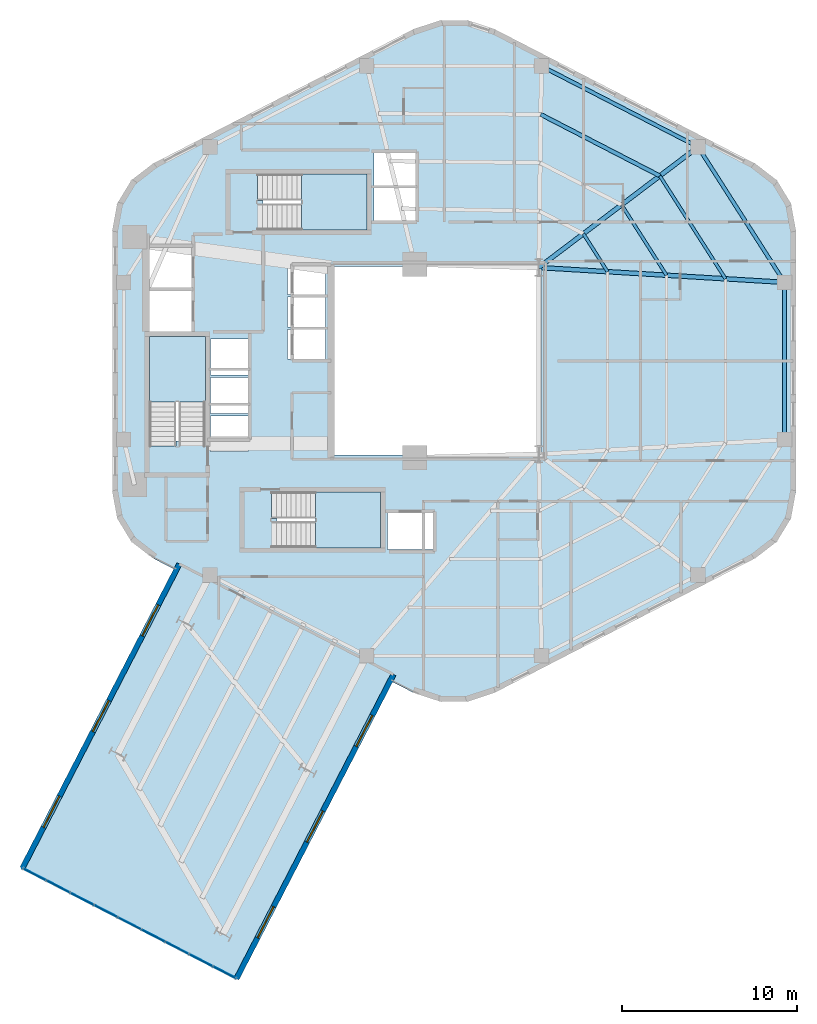
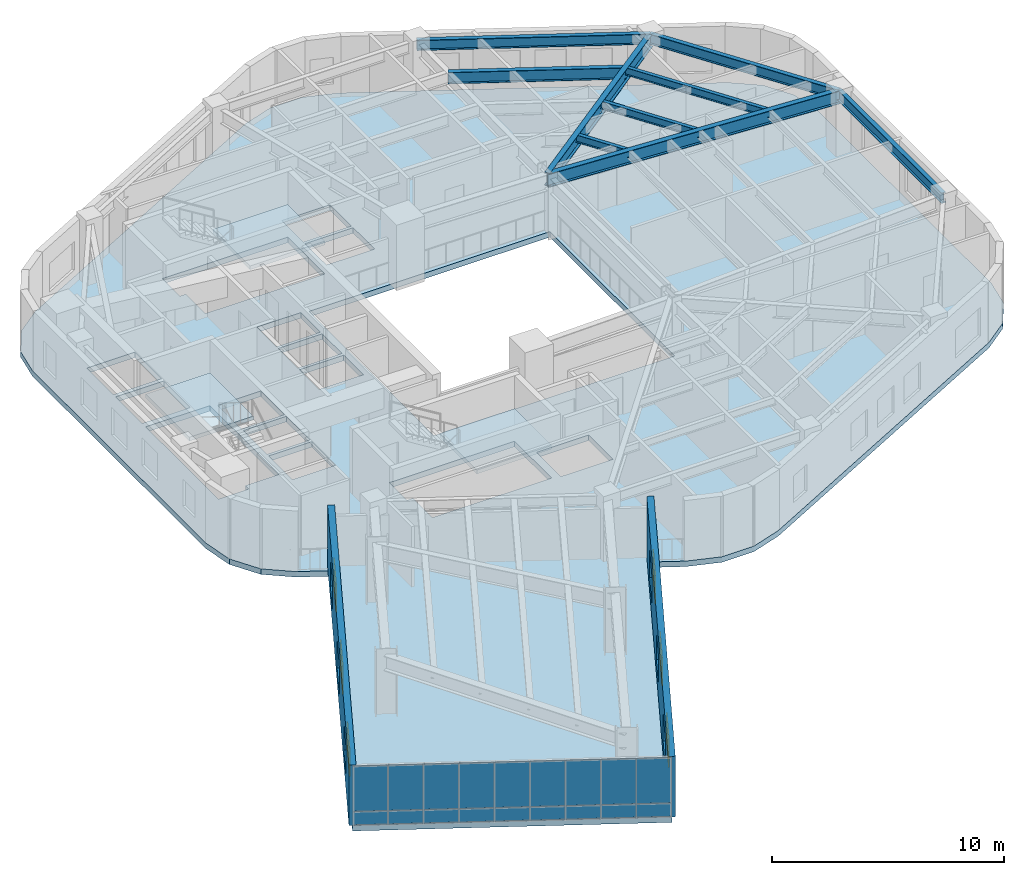
# One storey, part 4 of 10: 18 plates, 9 beams, 6 windows, 4 slabs, 2 walls, 6 openings, 4 elements without a shape of their own.
"""IFC4 building model written with IfcOpenShell, lengths in metres."""

import ifcopenshell
import ifcopenshell.guid

model = None  # the IFC model being written
_history = None  # IfcOwnerHistory: only IFC2X3 demands one
_inside = {}  # id of a spatial element -> (the spatial element, [elements in it])
_under = {}  # id of a project, library or spatial element -> (it, [spatial elements below it])
_declared = {}  # id of a project -> (the project, [libraries it declares])
_typed = {}  # id of a type object -> (the type object, [elements of that type])
_made_of = {}  # id of a material, layer set ... -> (it, [elements and type objects made of it])


def new_model(schema):
    """Start an empty IFC model of exactly this schema.

    Asked for "IFC4X3", IfcOpenShell would pick the latest addendum, in which some entities
    have other attributes; the version numbers below select the first issue.
    IFC2X3 requires an IfcOwnerHistory on every rooted entity: one is made here for all.
    """
    global model, _history
    if schema == "IFC4X3":
        model = ifcopenshell.file(schema_version=(4, 3, 0, 0))
    else:
        model = ifcopenshell.file(schema=schema)
    _inside.clear()
    _under.clear()
    _declared.clear()
    _typed.clear()
    _made_of.clear()
    _history = None
    if model.schema == "IFC2X3":
        org = make("IfcOrganization", Name="unknown")
        user = make(
            "IfcPersonAndOrganization",
            ThePerson=make("IfcPerson", FamilyName="unknown"),
            TheOrganization=org,
        )
        app = make(
            "IfcApplication",
            ApplicationDeveloper=org,
            Version="unknown",
            ApplicationFullName="unknown",
            ApplicationIdentifier="unknown",
        )
        _history = make(
            "IfcOwnerHistory",
            OwningUser=user,
            OwningApplication=app,
            ChangeAction="ADDED",
            CreationDate=0,
        )
    return model


def make(cls, **values):
    """One entity of the class cls with the attributes given. An attribute that is None is left unset."""
    return model.create_entity(
        cls, **{name: value for name, value in values.items() if value is not None}
    )


def rooted(cls, **values):
    """An entity with a GlobalId (a new one), such as an element, a storey or a relation."""
    return make(cls, GlobalId=ifcopenshell.guid.new(), OwnerHistory=_history, **values)


def si_unit(unit_type, name, prefix=None):
    """IfcSIUnit, for example si_unit("LENGTHUNIT", "METRE", prefix="MILLI")."""
    return make("IfcSIUnit", UnitType=unit_type, Prefix=prefix, Name=name)


def assignment(units):
    """IfcUnitAssignment: the units of a project."""
    return None if units is None else make("IfcUnitAssignment", Units=units)


def point(xyz):
    """IfcCartesianPoint."""
    return None if xyz is None else make("IfcCartesianPoint", Coordinates=xyz)


def direction(xyz):
    """IfcDirection."""
    return None if xyz is None else make("IfcDirection", DirectionRatios=xyz)


def frame(location, z_axis=None, x_axis=None):
    """IfcAxis2Placement3D, a coordinate frame: its origin and axes. An axis left out is left unset."""
    return make(
        "IfcAxis2Placement3D",
        Location=point(location),
        Axis=direction(z_axis),
        RefDirection=direction(x_axis),
    )


def frame_2d(location, x_axis=None):
    """IfcAxis2Placement2D, a coordinate frame in the plane: its origin and x axis."""
    return make(
        "IfcAxis2Placement2D", Location=point(location), RefDirection=direction(x_axis)
    )


def origin():
    """The frame at (0, 0, 0) with its axes left unset."""
    return frame((0.0, 0.0, 0.0))


def origin_2d():
    """The frame at (0, 0) in the plane with its x axis left unset."""
    return frame_2d((0.0, 0.0))


def place(relative_to, where):
    """IfcLocalPlacement: puts the frame where relative to a parent placement (None: the world)."""
    return make(
        "IfcLocalPlacement", PlacementRelTo=relative_to, RelativePlacement=where
    )


def context(
    kind, dimensions, precision=None, world=None, true_north=None, identifier=None
):
    """IfcGeometricRepresentationContext, for example the 3D "Model" context."""
    return make(
        "IfcGeometricRepresentationContext",
        ContextIdentifier=identifier,
        ContextType=kind,
        CoordinateSpaceDimension=dimensions,
        Precision=precision,
        WorldCoordinateSystem=world,
        TrueNorth=true_north,
    )


def subcontext(parent, identifier, kind, view, scale=None):
    """IfcGeometricRepresentationSubContext, for example "Body" below "Model"."""
    return make(
        "IfcGeometricRepresentationSubContext",
        ContextIdentifier=identifier,
        ContextType=kind,
        ParentContext=parent,
        TargetScale=scale,
        TargetView=view,
    )


def project(units=None, contexts=None):
    """IfcProject with its units and contexts."""
    return rooted(
        "IfcProject",
        Name="project",
        RepresentationContexts=contexts,
        UnitsInContext=assignment(units),
    )


def spatial(cls, under=None, at=None, **own):
    """A site, building, storey or space (cls), placed at a placement, below another one or the project."""
    s = rooted(cls, ObjectPlacement=at, **own)
    if under is not None:
        _under.setdefault(under.id(), (under, []))[1].append(s)
    return s


def polyline(points):
    """IfcPolyline through the points."""
    return make("IfcPolyline", Points=[point(p) for p in points])


def profile(cls, at=None, kind="AREA", **sizes):
    """A parametric profile (cls). Its sizes go by their IFC names, for example OverallWidth=200.0."""
    return make(cls, ProfileType=kind, Position=at, **sizes)


def rectangle(**sizes):
    """IfcRectangleProfileDef."""
    return profile("IfcRectangleProfileDef", **sizes)


def i_section(**sizes):
    """IfcIShapeProfileDef."""
    return profile("IfcIShapeProfileDef", **sizes)


def outline(outer, holes=None, kind="AREA"):
    """IfcArbitraryClosedProfileDef: a profile drawn as a closed curve; with holes, ...WithVoids."""
    if holes is None:
        return make("IfcArbitraryClosedProfileDef", ProfileType=kind, OuterCurve=outer)
    return make(
        "IfcArbitraryProfileDefWithVoids",
        ProfileType=kind,
        OuterCurve=outer,
        InnerCurves=holes,
    )


def extrude(swept, where, along, depth):
    """IfcExtrudedAreaSolid: the profile swept, set in the frame where, extruded along a direction by depth."""
    return make(
        "IfcExtrudedAreaSolid",
        SweptArea=swept,
        Position=where,
        ExtrudedDirection=direction(along),
        Depth=depth,
    )


def shape(context_of_items, identifier, shape_type, items):
    """IfcShapeRepresentation: the items that make up one representation, for example the "Body"."""
    return make(
        "IfcShapeRepresentation",
        ContextOfItems=context_of_items,
        RepresentationIdentifier=identifier,
        RepresentationType=shape_type,
        Items=items,
    )


def material(Name=None, Category=None):
    """IfcMaterial."""
    return make("IfcMaterial", Name=Name, Category=Category)


def layer(
    of_material, thickness, ventilated=None, Name=None, Category=None, Priority=None
):
    """IfcMaterialLayer: one layer of a wall or slab, of a material (None: an air gap)."""
    return make(
        "IfcMaterialLayer",
        Material=of_material,
        LayerThickness=thickness,
        IsVentilated=ventilated,
        Name=Name,
        Category=Category,
        Priority=Priority,
    )


def layer_set(layers, Name=None):
    """IfcMaterialLayerSet."""
    return make("IfcMaterialLayerSet", MaterialLayers=layers, LayerSetName=Name)


def material_profile(
    of_material, cross_section, Name=None, Category=None, Priority=None
):
    """IfcMaterialProfile: a cross section and its material."""
    return make(
        "IfcMaterialProfile",
        Name=Name,
        Material=of_material,
        Profile=cross_section,
        Priority=Priority,
        Category=Category,
    )


def profile_set(profiles, Name=None, composite=None):
    """IfcMaterialProfileSet."""
    return make(
        "IfcMaterialProfileSet",
        Name=Name,
        MaterialProfiles=profiles,
        CompositeProfile=composite,
    )


def made_of(thing, what):
    """Note that an element or type object is made of a material, layer set ...; save() writes the relation."""
    if what is not None:
        _made_of.setdefault(what.id(), (what, []))[1].append(thing)
    return thing


def type_object(cls, material=None, **own):
    """A type object (cls), such as IfcWallType, which elements share."""
    return made_of(rooted(cls, **own), material)


def element(
    cls,
    number,
    at=None,
    inside=None,
    cuts=None,
    type_object=None,
    material=None,
    context=None,
    identifier="Body",
    shape_type=None,
    held_by="IfcProductDefinitionShape",
    body=None,
    shapes=None,
    **own,
):
    """One element of the class cls, such as IfcWall. Its Tag is "e" and its number.

    at: its placement. inside: the storey or other place that contains it. cuts: it is an
    opening in that element (IfcRelVoidsElement). A single representation is given by context,
    identifier, shape_type and body (its items); several are given by shapes. held_by: the class
    of the entity that holds the representations. save() writes the other relations.
    """
    e = rooted(cls, Tag="e%d" % number, ObjectPlacement=at, **own)
    if body is not None:
        shapes = [shape(context, identifier, shape_type, body)]
    if shapes is not None:
        e.Representation = make(held_by, Representations=shapes)
    if inside is not None:
        _inside.setdefault(inside.id(), (inside, []))[1].append(e)
    if cuts is not None:
        rooted(
            "IfcRelVoidsElement", RelatingBuildingElement=cuts, RelatedOpeningElement=e
        )
    if type_object is not None:
        _typed.setdefault(type_object.id(), (type_object, []))[1].append(e)
    return made_of(e, material)


def fill(opening, filler):
    """IfcRelFillsElement: the door or window that sits in an opening."""
    return rooted(
        "IfcRelFillsElement",
        RelatingOpeningElement=opening,
        RelatedBuildingElement=filler,
    )


def aggregate(whole, parts):
    """IfcRelAggregates: a whole, such as a stair, and the parts it consists of."""
    return rooted("IfcRelAggregates", RelatingObject=whole, RelatedObjects=parts)


def save(model, path):
    """Write the relations noted so far, then the file.

    IfcRelAggregates (storeys below a building ...), IfcRelContainedInSpatialStructure (elements
    in a storey), IfcRelDefinesByType, IfcRelAssociatesMaterial and IfcRelDeclares: one each for
    every whole, place, type object, material and project.
    """
    for whole, parts in _under.values():
        aggregate(whole, parts)
    for where, things in _inside.values():
        rooted(
            "IfcRelContainedInSpatialStructure",
            RelatedElements=things,
            RelatingStructure=where,
        )
    for kind, things in _typed.values():
        rooted("IfcRelDefinesByType", RelatedObjects=things, RelatingType=kind)
    for what, things in _made_of.values():
        rooted("IfcRelAssociatesMaterial", RelatedObjects=things, RelatingMaterial=what)
    for by, libraries in _declared.values():
        rooted("IfcRelDeclares", RelatingContext=by, RelatedDefinitions=libraries)
    model.write(path)


model = new_model("IFC4")

# Units and contexts
model_context = context("Model", 3, precision=1e-05, world=origin(), true_north=direction((0.0, 1.0)))
body_context = subcontext(model_context, "Body", "Model", "MODEL_VIEW")
ifc_project = project(units=[si_unit("LENGTHUNIT", "METRE"), si_unit("AREAUNIT", "SQUARE_METRE"), si_unit("VOLUMEUNIT", "CUBIC_METRE"), si_unit("PLANEANGLEUNIT", "RADIAN"), si_unit("MASSUNIT", "GRAM", prefix="KILO"), si_unit("THERMODYNAMICTEMPERATUREUNIT", "KELVIN"), si_unit("POWERUNIT", "WATT")], contexts=[model_context])

# Site, building, storey
site_placement = place(None, origin())
site = spatial("IfcSite", under=ifc_project, at=site_placement, CompositionType="ELEMENT")
building_placement = place(site_placement, origin())
building = spatial("IfcBuilding", under=site, at=building_placement, Name="Skarre Station Tower", CompositionType="ELEMENT")
storey_placement = place(building_placement, frame((0.0, 0.0, 180.89990234375)))
storey = spatial("IfcBuildingStorey", under=building, at=storey_placement, Name="L49", CompositionType="ELEMENT", Elevation=180.89990234375)

# Beams
ifc_material_1 = material(Name="Steel ASTM A992 Grade 50", Category="steel")
ifc_material_profile_1 = material_profile(ifc_material_1, i_section(OverallWidth=0.256103515625, OverallDepth=0.693115234375, WebThickness=0.013916015625, FlangeThickness=0.02392578125, at=origin_2d()), Name="Steel ASTM A992 Grade 50")
ifc_profile_set_1 = profile_set([ifc_material_profile_1], Name="Steel ASTM A992 Grade 50")
beam_type_1 = type_object("IfcBeamType", Name="Steel Beam W27X114", PredefinedType="BEAM", material=ifc_profile_set_1)
beam_1_placement = place(storey_placement, frame((39.449951171875, 29.35009765625, 2.843994140625), z_axis=(0.797308988117, 0.603571352425, 0.0), x_axis=(-0.603571352425, 0.797308988117, 0.0)))
element("IfcBeam", 1, at=beam_1_placement, inside=storey, type_object=beam_type_1, Name="L49 Radial Floor Girder F0C1", PredefinedType="BEAM", context=body_context, shape_type="SweptSolid", body=[
    extrude(i_section(OverallWidth=0.256103515625, OverallDepth=0.693115234375, WebThickness=0.013916015625, FlangeThickness=0.02392578125, at=origin_2d()), origin(), (0.0, 0.0, 1.0), 11.443603515625),
])
beam_2_placement = place(storey_placement, frame((39.449951171875, 29.35009765625, 2.843994140625), z_axis=(0.998184432941, -0.060231535207, 0.0), x_axis=(0.060231535207, 0.998184432941, 0.0)))
element("IfcBeam", 2, at=beam_2_placement, inside=storey, type_object=beam_type_1, Name="L49 Radial Floor Girder F5C2", PredefinedType="BEAM", context=body_context, shape_type="SweptSolid", body=[
    extrude(i_section(OverallWidth=0.256103515625, OverallDepth=0.693115234375, WebThickness=0.013916015625, FlangeThickness=0.02392578125, at=origin_2d()), origin(), (0.0, 0.0, 1.0), 14.09765625),
])
ifc_material_profile_2 = material_profile(ifc_material_1, i_section(OverallWidth=0.177978515625, OverallDepth=0.403076171875, WebThickness=0.008056640625, FlangeThickness=0.010986328125, at=origin_2d()), Name="Steel ASTM A992 Grade 50")
ifc_profile_set_2 = profile_set([ifc_material_profile_2], Name="Steel ASTM A992 Grade 50")
beam_type_2 = type_object("IfcBeamType", Name="Steel Joist W16X36", PredefinedType="JOIST", material=ifc_profile_set_2)
beam_3_placement = place(storey_placement, frame((43.389892578125, 29.112060546875, 2.988037109375), z_axis=(-0.537678636248, 0.843149858639, 0.0), x_axis=(-0.843149858639, -0.537678636248, 0.0)))
element("IfcBeam", 3, at=beam_3_placement, inside=storey, type_object=beam_type_2, Name="L49 Auxiliary Composite Joist 22", PredefinedType="JOIST", context=body_context, shape_type="SweptSolid", body=[
    extrude(i_section(OverallWidth=0.177978515625, OverallDepth=0.403076171875, WebThickness=0.008056640625, FlangeThickness=0.010986328125, at=origin_2d()), origin(), (0.0, 0.0, 1.0), 2.575927734375),
])
beam_4_placement = place(storey_placement, frame((46.76708984375, 28.908935546875, 2.988037109375), z_axis=(-0.53785259263, 0.843038901001, 0.0), x_axis=(-0.843038901001, -0.53785259263, 0.0)))
element("IfcBeam", 4, at=beam_4_placement, inside=storey, type_object=beam_type_2, Name="L49 Auxiliary Composite Joist 23", PredefinedType="JOIST", context=body_context, shape_type="SweptSolid", body=[
    extrude(i_section(OverallWidth=0.177978515625, OverallDepth=0.403076171875, WebThickness=0.008056640625, FlangeThickness=0.010986328125, at=origin_2d()), origin(), (0.0, 0.0, 1.0), 4.783935546875),
])
beam_5_placement = place(storey_placement, frame((50.14501953125, 28.705078125, 2.988037109375), z_axis=(-0.537916675884, 0.842998012931, 0.0), x_axis=(-0.842998012931, -0.537916675884, 0.0)))
element("IfcBeam", 5, at=beam_5_placement, inside=storey, type_object=beam_type_2, Name="L49 Auxiliary Composite Joist 24", PredefinedType="JOIST", context=body_context, shape_type="SweptSolid", body=[
    extrude(i_section(OverallWidth=0.177978515625, OverallDepth=0.403076171875, WebThickness=0.008056640625, FlangeThickness=0.010986328125, at=origin_2d()), origin(), (0.0, 0.0, 1.0), 6.99169921875),
])
ifc_material_profile_3 = material_profile(ifc_material_1, i_section(OverallWidth=0.22802734375, OverallDepth=0.60791015625, WebThickness=0.010986328125, FlangeThickness=0.01708984375, at=origin_2d()), Name="Steel ASTM A992 Grade 50")
ifc_profile_set_3 = profile_set([ifc_material_profile_3], Name="Steel ASTM A992 Grade 50")
beam_type_3 = type_object("IfcBeamType", Name="Steel Joist W24X76", PredefinedType="JOIST", material=ifc_profile_set_3)
beam_6_placement = place(storey_placement, frame((46.384033203125, 34.59912109375, 2.885986328125), z_axis=(-0.888580913917, 0.458719913916, 0.0), x_axis=(-0.458719913916, -0.888580913917, 0.0)))
element("IfcBeam", 6, at=beam_6_placement, inside=storey, type_object=beam_type_3, Name="L49 Secondary Floor Joist 3", PredefinedType="JOIST", context=body_context, shape_type="SweptSolid", body=[
    extrude(i_section(OverallWidth=0.22802734375, OverallDepth=0.60791015625, WebThickness=0.010986328125, FlangeThickness=0.01708984375, at=origin_2d()), origin(), (0.0, 0.0, 1.0), 7.673095703125),
])
ifc_material_profile_4 = material_profile(ifc_material_1, i_section(OverallWidth=0.214111328125, OverallDepth=0.549072265625, WebThickness=0.014892578125, FlangeThickness=0.02392578125, at=origin_2d()), Name="Steel ASTM A992 Grade 50")
ifc_profile_set_4 = profile_set([ifc_material_profile_4], Name="Steel ASTM A992 Grade 50")
beam_type_4 = type_object("IfcBeamType", Name="Steel Spandrel W21X93", PredefinedType="SPANDREL", material=ifc_profile_set_4)
beam_7_placement = place(storey_placement, frame((48.573974609375, 36.257080078125, 2.916015625), z_axis=(-0.888613027226, 0.458657702262, 0.0), x_axis=(-0.458657702262, -0.888613027226, 0.0)))
element("IfcBeam", 7, at=beam_7_placement, inside=storey, type_object=beam_type_4, Name="L49 Facet Spandrel Beam 1", PredefinedType="SPANDREL", context=body_context, shape_type="SweptSolid", body=[
    extrude(i_section(OverallWidth=0.214111328125, OverallDepth=0.549072265625, WebThickness=0.014892578125, FlangeThickness=0.02392578125, at=origin_2d()), origin(), (0.0, 0.0, 1.0), 10.096435546875),
])
beam_8_placement = place(storey_placement, frame((53.52197265625, 19.4990234375, 2.916015625), z_axis=(0.0, 1.0, 0.0), x_axis=(-1.0, 0.0, 0.0)))
element("IfcBeam", 8, at=beam_8_placement, inside=storey, type_object=beam_type_4, Name="L49 Facet Spandrel Beam 11", PredefinedType="SPANDREL", context=body_context, shape_type="SweptSolid", body=[
    extrude(i_section(OverallWidth=0.214111328125, OverallDepth=0.549072265625, WebThickness=0.014892578125, FlangeThickness=0.02392578125, at=origin_2d()), origin(), (0.0, 0.0, 1.0), 9.001953125),
])
beam_9_placement = place(storey_placement, frame((53.52197265625, 28.5009765625, 2.916015625), z_axis=(-0.537826426158, 0.843055594445, 0.0), x_axis=(-0.843055594445, -0.537826426158, 0.0)))
element("IfcBeam", 9, at=beam_9_placement, inside=storey, type_object=beam_type_4, Name="L49 Facet Spandrel Beam 12", PredefinedType="SPANDREL", context=body_context, shape_type="SweptSolid", body=[
    extrude(i_section(OverallWidth=0.214111328125, OverallDepth=0.549072265625, WebThickness=0.014892578125, FlangeThickness=0.02392578125, at=origin_2d()), origin(), (0.0, 0.0, 1.0), 9.199951171875),
])

# Curtain wall, plates
ifc_material_2 = material(Name="Thermally Broken Bronze-Anodized Aluminium & Triple Low-E Glass", Category="aluminium")
ifc_layer_1 = layer(ifc_material_2, 0.2099609375, Name="Thermally Broken Bronze-Anodized Aluminium & Triple Low-E Glass")
ifc_layer_set_1 = layer_set([ifc_layer_1], Name="Thermally Broken Bronze-Anodized Aluminium & Triple Low-E Glass")
curtain_wall_type = type_object("IfcCurtainWallType", Name="Sky-Bar Prow Structural Glazed Curtain Wall", PredefinedType="NOTDEFINED", material=ifc_layer_set_1)
curtain_wall_placement = place(storey_placement, origin())
curtain_wall = element("IfcCurtainWall", 10, at=curtain_wall_placement, inside=storey, type_object=curtain_wall_type, Name="L49 SB-4 Lakefront Prow Curtain Wall", PredefinedType="NOTDEFINED")
ifc_material_3 = material(Name="Insulated Bronze Anodized Aluminium Spandrel", Category="aluminium")
ifc_layer_2 = layer(ifc_material_3, 0.052001953125, Name="Insulated Bronze Anodized Aluminium Spandrel")
ifc_layer_set_2 = layer_set([ifc_layer_2], Name="Insulated Bronze Anodized Aluminium Spandrel")
plate_type_1 = type_object("IfcPlateType", Name="Bronze Insulated Spandrel Sheet Panel 52", PredefinedType="SHEET", material=ifc_layer_set_2)
plate_1_placement = place(storey_placement, frame((21.458984375, -11.02392578125, 0.052001953125), z_axis=(0.0, 0.0, 1.0), x_axis=(-0.888625237464, 0.458634045118, 0.0)))
plate_1 = element("IfcPlate", 11, at=plate_1_placement, type_object=plate_type_1, Name="L49 SB-4 Lakefront Prow Curtain Wall Spandrel Panel 1-1", PredefinedType="SHEET", context=body_context, shape_type="SweptSolid", body=[
    extrude(rectangle(XDim=1.509033203125, YDim=0.052001953125, at=origin_2d()), origin(), (0.0, 0.0, 1.0), 0.68603515625),
])
plate_2_placement = place(storey_placement, frame((20.095947265625, -10.321044921875, 0.052001953125), z_axis=(0.0, 0.0, 1.0), x_axis=(-0.888625237464, 0.458634045118, 0.0)))
plate_2 = element("IfcPlate", 12, at=plate_2_placement, type_object=plate_type_1, Name="L49 SB-4 Lakefront Prow Curtain Wall Spandrel Panel 2-1", PredefinedType="SHEET", context=body_context, shape_type="SweptSolid", body=[
    extrude(rectangle(XDim=1.509033203125, YDim=0.052001953125, at=origin_2d()), origin(), (0.0, 0.0, 1.0), 0.68603515625),
])
plate_3_placement = place(storey_placement, frame((18.73388671875, -9.617919921875, 0.052001953125), z_axis=(0.0, 0.0, 1.0), x_axis=(-0.888625237464, 0.458634045118, 0.0)))
plate_3 = element("IfcPlate", 13, at=plate_3_placement, type_object=plate_type_1, Name="L49 SB-4 Lakefront Prow Curtain Wall Spandrel Panel 3-1", PredefinedType="SHEET", context=body_context, shape_type="SweptSolid", body=[
    extrude(rectangle(XDim=1.509033203125, YDim=0.052001953125, at=origin_2d()), origin(), (0.0, 0.0, 1.0), 0.68603515625),
])
plate_4_placement = place(storey_placement, frame((17.37109375, -8.9150390625, 0.052001953125), z_axis=(0.0, 0.0, 1.0), x_axis=(-0.888625237464, 0.458634045118, 0.0)))
plate_4 = element("IfcPlate", 14, at=plate_4_placement, type_object=plate_type_1, Name="L49 SB-4 Lakefront Prow Curtain Wall Spandrel Panel 4-1", PredefinedType="SHEET", context=body_context, shape_type="SweptSolid", body=[
    extrude(rectangle(XDim=1.509033203125, YDim=0.052001953125, at=origin_2d()), origin(), (0.0, 0.0, 1.0), 0.68603515625),
])
plate_5_placement = place(storey_placement, frame((16.009033203125, -8.2119140625, 0.052001953125), z_axis=(0.0, 0.0, 1.0), x_axis=(-0.888625237464, 0.458634045118, 0.0)))
plate_5 = element("IfcPlate", 15, at=plate_5_placement, type_object=plate_type_1, Name="L49 SB-4 Lakefront Prow Curtain Wall Spandrel Panel 5-1", PredefinedType="SHEET", context=body_context, shape_type="SweptSolid", body=[
    extrude(rectangle(XDim=1.509033203125, YDim=0.052001953125, at=origin_2d()), origin(), (0.0, 0.0, 1.0), 0.68603515625),
])
plate_6_placement = place(storey_placement, frame((14.64599609375, -7.508056640625, 0.052001953125), z_axis=(0.0, 0.0, 1.0), x_axis=(-0.888625237464, 0.458634045118, 0.0)))
plate_6 = element("IfcPlate", 16, at=plate_6_placement, type_object=plate_type_1, Name="L49 SB-4 Lakefront Prow Curtain Wall Spandrel Panel 6-1", PredefinedType="SHEET", context=body_context, shape_type="SweptSolid", body=[
    extrude(rectangle(XDim=1.509033203125, YDim=0.052001953125, at=origin_2d()), origin(), (0.0, 0.0, 1.0), 0.68603515625),
])
plate_7_placement = place(storey_placement, frame((13.282958984375, -6.804931640625, 0.052001953125), z_axis=(0.0, 0.0, 1.0), x_axis=(-0.888625237464, 0.458634045118, 0.0)))
plate_7 = element("IfcPlate", 17, at=plate_7_placement, type_object=plate_type_1, Name="L49 SB-4 Lakefront Prow Curtain Wall Spandrel Panel 7-1", PredefinedType="SHEET", context=body_context, shape_type="SweptSolid", body=[
    extrude(rectangle(XDim=1.509033203125, YDim=0.052001953125, at=origin_2d()), origin(), (0.0, 0.0, 1.0), 0.68603515625),
])
plate_8_placement = place(storey_placement, frame((11.9208984375, -6.10205078125, 0.052001953125), z_axis=(0.0, 0.0, 1.0), x_axis=(-0.888625237464, 0.458634045118, 0.0)))
plate_8 = element("IfcPlate", 18, at=plate_8_placement, type_object=plate_type_1, Name="L49 SB-4 Lakefront Prow Curtain Wall Spandrel Panel 8-1", PredefinedType="SHEET", context=body_context, shape_type="SweptSolid", body=[
    extrude(rectangle(XDim=1.509033203125, YDim=0.052001953125, at=origin_2d()), origin(), (0.0, 0.0, 1.0), 0.68603515625),
])
plate_9_placement = place(storey_placement, frame((10.55810546875, -5.39892578125, 0.052001953125), z_axis=(0.0, 0.0, 1.0), x_axis=(-0.888625237464, 0.458634045118, 0.0)))
plate_9 = element("IfcPlate", 19, at=plate_9_placement, type_object=plate_type_1, Name="L49 SB-4 Lakefront Prow Curtain Wall Spandrel Panel 9-1", PredefinedType="SHEET", context=body_context, shape_type="SweptSolid", body=[
    extrude(rectangle(XDim=1.509033203125, YDim=0.052001953125, at=origin_2d()), origin(), (0.0, 0.0, 1.0), 0.68603515625),
])

# Stair, slab
ifc_material_4 = material(Name="Concrete C40/50", Category="concrete")
stair_type_1 = type_object("IfcStairType", Name="Reinforced Concrete Exit Stair ST-1", PredefinedType="HALF_TURN_STAIR", material=ifc_material_4)
stair_1_placement = place(storey_placement, origin())
stair_1 = element("IfcStair", 20, at=stair_1_placement, inside=storey, type_object=stair_type_1, Name="L49 Core Exit Stair ST-1", PredefinedType="HALF_TURN_STAIR")
ifc_layer_3 = layer(ifc_material_4, 0.219970703125, Name="Concrete C40/50")
ifc_layer_set_3 = layer_set([ifc_layer_3], Name="Concrete C40/50")
slab_type_1 = type_object("IfcSlabType", Name="Reinforced Concrete Stair & Ramp Landing 220", PredefinedType="LANDING", material=ifc_layer_set_3)
slab_1_placement = place(storey_placement, frame((0.0, 0.0, 1.525146484375)))
slab_1 = element("IfcSlab", 21, at=slab_1_placement, type_object=slab_type_1, Name="ST-1 landing 1", PredefinedType="LANDING", context=body_context, shape_type="SweptSolid", body=[
    extrude(outline(polyline([(20.35009765625, 21.639892578125), (20.35009765625, 25.39990234375), (17.14990234375, 25.39990234375), (17.14990234375, 21.639892578125), (20.35009765625, 21.639892578125)])), origin(), (0.0, 0.0, 1.0), 0.199951171875),
])
aggregate(stair_1, [slab_1])

stair_type_2 = type_object("IfcStairType", Name="Reinforced Concrete Exit Stair ST-2", PredefinedType="HALF_TURN_STAIR", material=ifc_material_4)
stair_2_placement = place(storey_placement, origin())
stair_2 = element("IfcStair", 22, at=stair_2_placement, inside=storey, type_object=stair_type_2, Name="L49 Core Exit Stair ST-2", PredefinedType="HALF_TURN_STAIR")
slab_2_placement = place(storey_placement, frame((0.0, 0.0, 1.525146484375)))
slab_2 = element("IfcSlab", 23, at=slab_2_placement, type_object=slab_type_1, Name="ST-2 landing 1", PredefinedType="LANDING", context=body_context, shape_type="SweptSolid", body=[
    extrude(outline(polyline([(26.669921875, 13.300048828125), (30.39990234375, 13.300048828125), (30.39990234375, 16.5), (26.669921875, 16.5), (26.669921875, 13.300048828125)])), origin(), (0.0, 0.0, 1.0), 0.199951171875),
])
aggregate(stair_2, [slab_2])

stair_type_3 = type_object("IfcStairType", Name="Reinforced Concrete Exit Stair ST-3", PredefinedType="HALF_TURN_STAIR", material=ifc_material_4)
stair_3_placement = place(storey_placement, origin())
stair_3 = element("IfcStair", 24, at=stair_3_placement, inside=storey, type_object=stair_type_3, Name="L49 Core Exit Stair ST-3", PredefinedType="HALF_TURN_STAIR")
slab_3_placement = place(storey_placement, frame((0.0, 0.0, 1.525146484375)))
slab_3 = element("IfcSlab", 25, at=slab_3_placement, type_object=slab_type_1, Name="ST-3 landing 1", PredefinedType="LANDING", context=body_context, shape_type="SweptSolid", body=[
    extrude(outline(polyline([(25.8701171875, 31.5), (29.60009765625, 31.5), (29.60009765625, 34.699951171875), (25.8701171875, 34.699951171875), (25.8701171875, 31.5)])), origin(), (0.0, 0.0, 1.0), 0.199951171875),
])
aggregate(stair_3, [slab_3])

# Slab
ifc_material_5 = material(Name="Concrete C50/60", Category="concrete")
ifc_layer_4 = layer(ifc_material_5, 0.2900390625, Name="Concrete C50/60")
ifc_layer_set_4 = layer_set([ifc_layer_4], Name="Concrete C50/60")
slab_type_2 = type_object("IfcSlabType", Name="Sky-Bar Composite Floor Slab 290", PredefinedType="FLOOR", material=ifc_layer_set_4)
slab_4_placement = place(storey_placement, frame((0.0, 0.0, -0.289794921875)))
element("IfcSlab", 26, at=slab_4_placement, inside=storey, type_object=slab_type_2, Name="L49 Tower and SB-4 Floor Slab", PredefinedType="FLOOR", context=body_context, shape_type="SweptSolid", body=[
    extrude(outline(polyline([(30.945068359375, 5.68505859375), (32.291015625, 4.990966796875), (33.803955078125, 4.493896484375), (35.39599609375, 4.493896484375), (36.908935546875, 4.990966796875), (51.863037109375, 12.708984375), (53.0869140625, 13.655029296875), (53.89208984375, 14.97705078125), (54.172119140625, 16.498046875), (54.172119140625, 31.501953125), (53.89208984375, 33.02294921875), (53.0869140625, 34.344970703125), (51.863037109375, 35.291015625), (36.908935546875, 43.009033203125), (35.39599609375, 43.506103515625), (33.803955078125, 43.506103515625), (32.291015625, 43.009033203125), (17.3369140625, 35.291015625), (16.113037109375, 34.344970703125), (15.30810546875, 33.02294921875), (15.028076171875, 31.501953125), (15.028076171875, 16.498046875), (15.30810546875, 14.97705078125), (16.113037109375, 13.655029296875), (17.3369140625, 12.708984375), (18.68310546875, 12.014892578125), (9.876953125, -5.047119140625), (22.139892578125, -11.3759765625), (30.945068359375, 5.68505859375)]), holes=[polyline([(18.669921875, 19.419921875), (18.669921875, 19.123046875), (17.14990234375, 19.123046875), (17.14990234375, 25.39990234375), (20.35009765625, 25.39990234375), (20.35009765625, 19.419921875), (18.669921875, 19.419921875)]), polyline([(24.449951171875, 14.97998046875), (24.153076171875, 14.97998046875), (24.153076171875, 16.5), (30.39990234375, 16.5), (30.39990234375, 13.300048828125), (24.449951171875, 13.300048828125), (24.449951171875, 14.97998046875)]), polyline([(23.64990234375, 33.179931640625), (23.35302734375, 33.179931640625), (23.35302734375, 34.699951171875), (29.60009765625, 34.699951171875), (29.60009765625, 31.5), (23.64990234375, 31.5), (23.64990234375, 33.179931640625)]), polyline([(17.14990234375, 28.0), (19.550048828125, 28.0), (19.550048828125, 25.699951171875), (17.14990234375, 25.699951171875), (17.14990234375, 28.0)]), polyline([(17.14990234375, 30.5), (19.550048828125, 30.5), (19.550048828125, 28.199951171875), (17.14990234375, 28.199951171875), (17.14990234375, 30.5)]), polyline([(30.800048828125, 15.300048828125), (33.39990234375, 15.300048828125), (33.39990234375, 13.199951171875), (30.800048828125, 13.199951171875), (30.800048828125, 15.300048828125)]), polyline([(25.050048828125, 25.800048828125), (27.25, 25.800048828125), (27.25, 24.10009765625), (25.050048828125, 24.10009765625), (25.050048828125, 25.800048828125)]), polyline([(25.050048828125, 27.64990234375), (27.25, 27.64990234375), (27.25, 25.949951171875), (25.050048828125, 25.949951171875), (25.050048828125, 27.64990234375)]), polyline([(25.050048828125, 29.5), (27.25, 29.5), (27.25, 27.800048828125), (25.050048828125, 27.800048828125), (25.050048828125, 29.5)]), polyline([(20.64990234375, 20.85009765625), (22.800048828125, 20.85009765625), (22.800048828125, 18.800048828125), (20.64990234375, 18.800048828125), (20.64990234375, 20.85009765625)]), polyline([(20.64990234375, 23.050048828125), (22.800048828125, 23.050048828125), (22.800048828125, 21.0), (20.64990234375, 21.0), (20.64990234375, 23.050048828125)]), polyline([(20.64990234375, 25.25), (22.800048828125, 25.25), (22.800048828125, 23.199951171875), (20.64990234375, 23.199951171875), (20.64990234375, 25.25)]), polyline([(30.0, 33.89990234375), (32.39990234375, 33.89990234375), (32.39990234375, 32.050048828125), (30.0, 32.050048828125), (30.0, 33.89990234375)]), polyline([(30.0, 35.89990234375), (32.39990234375, 35.89990234375), (32.39990234375, 34.050048828125), (30.0, 34.050048828125), (30.0, 35.89990234375)]), polyline([(27.60009765625, 29.39990234375), (39.60009765625, 29.39990234375), (39.60009765625, 18.60009765625), (27.60009765625, 18.60009765625), (27.60009765625, 29.39990234375)])]), origin(), (0.0, 0.0, 1.0), 0.289794921875),
])

# Plate
ifc_material_6 = material(Name="Low-Iron Triple Insulating Glass Unit", Category="glass")
ifc_layer_5 = layer(ifc_material_6, 0.0439453125, Name="Low-Iron Triple Insulating Glass Unit")
ifc_layer_set_5 = layer_set([ifc_layer_5], Name="Low-Iron Triple Insulating Glass Unit")
plate_type_2 = type_object("IfcPlateType", Name="Triple-Glazed Vision Curtain Panel 44", PredefinedType="CURTAIN_PANEL", material=ifc_layer_set_5)
plate_10_placement = place(storey_placement, frame((21.458984375, -11.02392578125, 0.76220703125), z_axis=(0.0, 0.0, 1.0), x_axis=(-0.888625237464, 0.458634045118, 0.0)))
plate_10 = element("IfcPlate", 27, at=plate_10_placement, type_object=plate_type_2, Name="L49 SB-4 Lakefront Prow Curtain Wall Vision Panel 1-2", PredefinedType="CURTAIN_PANEL", context=body_context, shape_type="SweptSolid", body=[
    extrude(rectangle(XDim=1.509033203125, YDim=0.0439453125, at=origin_2d()), origin(), (0.0, 0.0, 1.0), 2.3759765625),
])

plate_11_placement = place(storey_placement, frame((20.095947265625, -10.321044921875, 0.76220703125), z_axis=(0.0, 0.0, 1.0), x_axis=(-0.888625237464, 0.458634045118, 0.0)))
plate_11 = element("IfcPlate", 28, at=plate_11_placement, type_object=plate_type_2, Name="L49 SB-4 Lakefront Prow Curtain Wall Vision Panel 2-2", PredefinedType="CURTAIN_PANEL", context=body_context, shape_type="SweptSolid", body=[
    extrude(rectangle(XDim=1.509033203125, YDim=0.0439453125, at=origin_2d()), origin(), (0.0, 0.0, 1.0), 2.3759765625),
])

plate_12_placement = place(storey_placement, frame((18.73388671875, -9.617919921875, 0.76220703125), z_axis=(0.0, 0.0, 1.0), x_axis=(-0.888625237464, 0.458634045118, 0.0)))
plate_12 = element("IfcPlate", 29, at=plate_12_placement, type_object=plate_type_2, Name="L49 SB-4 Lakefront Prow Curtain Wall Vision Panel 3-2", PredefinedType="CURTAIN_PANEL", context=body_context, shape_type="SweptSolid", body=[
    extrude(rectangle(XDim=1.509033203125, YDim=0.0439453125, at=origin_2d()), origin(), (0.0, 0.0, 1.0), 2.3759765625),
])

plate_13_placement = place(storey_placement, frame((17.37109375, -8.9150390625, 0.76220703125), z_axis=(0.0, 0.0, 1.0), x_axis=(-0.888625237464, 0.458634045118, 0.0)))
plate_13 = element("IfcPlate", 30, at=plate_13_placement, type_object=plate_type_2, Name="L49 SB-4 Lakefront Prow Curtain Wall Vision Panel 4-2", PredefinedType="CURTAIN_PANEL", context=body_context, shape_type="SweptSolid", body=[
    extrude(rectangle(XDim=1.509033203125, YDim=0.0439453125, at=origin_2d()), origin(), (0.0, 0.0, 1.0), 2.3759765625),
])

plate_14_placement = place(storey_placement, frame((16.009033203125, -8.2119140625, 0.76220703125), z_axis=(0.0, 0.0, 1.0), x_axis=(-0.888625237464, 0.458634045118, 0.0)))
plate_14 = element("IfcPlate", 31, at=plate_14_placement, type_object=plate_type_2, Name="L49 SB-4 Lakefront Prow Curtain Wall Vision Panel 5-2", PredefinedType="CURTAIN_PANEL", context=body_context, shape_type="SweptSolid", body=[
    extrude(rectangle(XDim=1.509033203125, YDim=0.0439453125, at=origin_2d()), origin(), (0.0, 0.0, 1.0), 2.3759765625),
])

plate_15_placement = place(storey_placement, frame((14.64599609375, -7.508056640625, 0.76220703125), z_axis=(0.0, 0.0, 1.0), x_axis=(-0.888625237464, 0.458634045118, 0.0)))
plate_15 = element("IfcPlate", 32, at=plate_15_placement, type_object=plate_type_2, Name="L49 SB-4 Lakefront Prow Curtain Wall Vision Panel 6-2", PredefinedType="CURTAIN_PANEL", context=body_context, shape_type="SweptSolid", body=[
    extrude(rectangle(XDim=1.509033203125, YDim=0.0439453125, at=origin_2d()), origin(), (0.0, 0.0, 1.0), 2.3759765625),
])

plate_16_placement = place(storey_placement, frame((13.282958984375, -6.804931640625, 0.76220703125), z_axis=(0.0, 0.0, 1.0), x_axis=(-0.888625237464, 0.458634045118, 0.0)))
plate_16 = element("IfcPlate", 33, at=plate_16_placement, type_object=plate_type_2, Name="L49 SB-4 Lakefront Prow Curtain Wall Vision Panel 7-2", PredefinedType="CURTAIN_PANEL", context=body_context, shape_type="SweptSolid", body=[
    extrude(rectangle(XDim=1.509033203125, YDim=0.0439453125, at=origin_2d()), origin(), (0.0, 0.0, 1.0), 2.3759765625),
])

plate_17_placement = place(storey_placement, frame((11.9208984375, -6.10205078125, 0.76220703125), z_axis=(0.0, 0.0, 1.0), x_axis=(-0.888625237464, 0.458634045118, 0.0)))
plate_17 = element("IfcPlate", 34, at=plate_17_placement, type_object=plate_type_2, Name="L49 SB-4 Lakefront Prow Curtain Wall Vision Panel 8-2", PredefinedType="CURTAIN_PANEL", context=body_context, shape_type="SweptSolid", body=[
    extrude(rectangle(XDim=1.509033203125, YDim=0.0439453125, at=origin_2d()), origin(), (0.0, 0.0, 1.0), 2.3759765625),
])

plate_18_placement = place(storey_placement, frame((10.55810546875, -5.39892578125, 0.76220703125), z_axis=(0.0, 0.0, 1.0), x_axis=(-0.888625237464, 0.458634045118, 0.0)))
plate_18 = element("IfcPlate", 35, at=plate_18_placement, type_object=plate_type_2, Name="L49 SB-4 Lakefront Prow Curtain Wall Vision Panel 9-2", PredefinedType="CURTAIN_PANEL", context=body_context, shape_type="SweptSolid", body=[
    extrude(rectangle(XDim=1.509033203125, YDim=0.0439453125, at=origin_2d()), origin(), (0.0, 0.0, 1.0), 2.3759765625),
])

aggregate(curtain_wall, [plate_1, plate_10, plate_2, plate_11, plate_3, plate_12, plate_4, plate_13, plate_5, plate_14, plate_6, plate_15, plate_7, plate_16, plate_8, plate_17, plate_9, plate_18])

# Wall, openings, windows
ifc_material_7 = material(Name="Precast concrete C45/55", Category="concrete")
ifc_layer_6 = layer(ifc_material_7, 0.31005859375, Name="Precast concrete C45/55")
ifc_layer_set_6 = layer_set([ifc_layer_6], Name="Precast concrete C45/55")
wall_type = type_object("IfcWallType", Name="Nordic Upper-Zone Precast Facet Wall 310", PredefinedType="STANDARD", material=ifc_layer_set_6)
wall_1_placement = place(storey_placement, frame((9.876953125, -5.047119140625, 0.0), z_axis=(0.0, 0.0, 1.0), x_axis=(0.458621661341, 0.888631628825, 0.0)))
wall_1 = element("IfcWall", 36, at=wall_1_placement, inside=storey, type_object=wall_type, Name="L49 SB-4 Side 1 Precast Wall", PredefinedType="STANDARD", context=body_context, shape_type="SweptSolid", body=[
    extrude(rectangle(XDim=19.60009765625, YDim=0.31005859375, at=frame_2d((9.800048828125, 0.0))), origin(), (0.0, 0.0, 1.0), 3.190185546875),
])
opening_1_placement = place(wall_1_placement, frame((2.633056640625, 0.0, 0.75)))
opening_1 = element("IfcOpeningElement", 37, at=opening_1_placement, cuts=wall_1, Name="Opening WN-Z3A", PredefinedType="OPENING", context=body_context, shape_type="SweptSolid", body=[
    extrude(rectangle(XDim=2.0, YDim=1.5, at=frame_2d((1.0, 0.75))), frame((0.0, 0.1650390625, 0.0), z_axis=(0.0, -1.0, 0.0), x_axis=(1.0, 0.0, 0.0)), (0.0, 0.0, 1.0), 0.330078125),
])
opening_2_placement = place(wall_1_placement, frame((8.800048828125, 0.0, 0.75)))
opening_2 = element("IfcOpeningElement", 38, at=opening_2_placement, cuts=wall_1, Name="Opening WN-Z3A", PredefinedType="OPENING", context=body_context, shape_type="SweptSolid", body=[
    extrude(rectangle(XDim=2.0, YDim=1.5, at=frame_2d((1.0, 0.75))), frame((0.0, 0.1650390625, 0.0), z_axis=(0.0, -1.0, 0.0), x_axis=(1.0, 0.0, 0.0)), (0.0, 0.0, 1.0), 0.330078125),
])
opening_3_placement = place(wall_1_placement, frame((14.967041015625, 0.0, 0.75)))
opening_3 = element("IfcOpeningElement", 39, at=opening_3_placement, cuts=wall_1, Name="Opening WN-Z3A", PredefinedType="OPENING", context=body_context, shape_type="SweptSolid", body=[
    extrude(rectangle(XDim=2.0, YDim=1.5, at=frame_2d((1.0, 0.75))), frame((0.0, 0.1650390625, 0.0), z_axis=(0.0, -1.0, 0.0), x_axis=(1.0, 0.0, 0.0)), (0.0, 0.0, 1.0), 0.330078125),
])
ifc_material_8 = material(Name="Low-Iron Triple Glazing with Bronze Anodized Frame", Category="glass")
window_type = type_object("IfcWindowType", Name="Nordic Hospitality Window 2000x1500", PartitioningType="SINGLE_PANEL", PredefinedType="WINDOW", material=ifc_material_8)
window_1_placement = place(opening_1_placement, origin())
window_1 = element("IfcWindow", 40, at=window_1_placement, inside=storey, type_object=window_type, Name="L49 Facade Window WL-SB-4-L49-S1-1", OverallHeight=1.5, OverallWidth=2.0, PartitioningType="SINGLE_PANEL", PredefinedType="WINDOW", context=body_context, shape_type="SweptSolid", body=[
    extrude(rectangle(XDim=2.0, YDim=1.5, at=frame_2d((1.0, 0.75))), frame((0.0, 0.030029296875, 0.0), z_axis=(0.0, -1.0, 0.0), x_axis=(1.0, 0.0, 0.0)), (0.0, 0.0, 1.0), 0.06005859375),
])
fill(opening_1, window_1)
window_2_placement = place(opening_2_placement, origin())
window_2 = element("IfcWindow", 41, at=window_2_placement, inside=storey, type_object=window_type, Name="L49 Facade Window WL-SB-4-L49-S1-2", OverallHeight=1.5, OverallWidth=2.0, PartitioningType="SINGLE_PANEL", PredefinedType="WINDOW", context=body_context, shape_type="SweptSolid", body=[
    extrude(rectangle(XDim=2.0, YDim=1.5, at=frame_2d((1.0, 0.75))), frame((0.0, 0.030029296875, 0.0), z_axis=(0.0, -1.0, 0.0), x_axis=(1.0, 0.0, 0.0)), (0.0, 0.0, 1.0), 0.06005859375),
])
fill(opening_2, window_2)
window_3_placement = place(opening_3_placement, origin())
window_3 = element("IfcWindow", 42, at=window_3_placement, inside=storey, type_object=window_type, Name="L49 Facade Window WL-SB-4-L49-S1-3", OverallHeight=1.5, OverallWidth=2.0, PartitioningType="SINGLE_PANEL", PredefinedType="WINDOW", context=body_context, shape_type="SweptSolid", body=[
    extrude(rectangle(XDim=2.0, YDim=1.5, at=frame_2d((1.0, 0.75))), frame((0.0, 0.030029296875, 0.0), z_axis=(0.0, -1.0, 0.0), x_axis=(1.0, 0.0, 0.0)), (0.0, 0.0, 1.0), 0.06005859375),
])
fill(opening_3, window_3)

wall_2_placement = place(storey_placement, frame((31.12890625, 6.041015625, 0.0), z_axis=(0.0, 0.0, 1.0), x_axis=(-0.458626737826, -0.88862900884, 0.0)))
wall_2 = element("IfcWall", 43, at=wall_2_placement, inside=storey, type_object=wall_type, Name="L49 SB-4 Side 2 Precast Wall", PredefinedType="STANDARD", context=body_context, shape_type="SweptSolid", body=[
    extrude(rectangle(XDim=19.599853515625, YDim=0.31005859375, at=frame_2d((9.7998046875, 0.0))), origin(), (0.0, 0.0, 1.0), 3.190185546875),
])
opening_4_placement = place(wall_2_placement, frame((2.633056640625, 0.0, 0.75)))
opening_4 = element("IfcOpeningElement", 44, at=opening_4_placement, cuts=wall_2, Name="Opening WN-Z3A", PredefinedType="OPENING", context=body_context, shape_type="SweptSolid", body=[
    extrude(rectangle(XDim=2.0, YDim=1.5, at=frame_2d((1.0, 0.75))), frame((0.0, 0.1650390625, 0.0), z_axis=(0.0, -1.0, 0.0), x_axis=(1.0, 0.0, 0.0)), (0.0, 0.0, 1.0), 0.330078125),
])
opening_5_placement = place(wall_2_placement, frame((8.800048828125, 0.0, 0.75)))
opening_5 = element("IfcOpeningElement", 45, at=opening_5_placement, cuts=wall_2, Name="Opening WN-Z3A", PredefinedType="OPENING", context=body_context, shape_type="SweptSolid", body=[
    extrude(rectangle(XDim=2.0, YDim=1.5, at=frame_2d((1.0, 0.75))), frame((0.0, 0.1650390625, 0.0), z_axis=(0.0, -1.0, 0.0), x_axis=(1.0, 0.0, 0.0)), (0.0, 0.0, 1.0), 0.330078125),
])
opening_6_placement = place(wall_2_placement, frame((14.967041015625, 0.0, 0.75)))
opening_6 = element("IfcOpeningElement", 46, at=opening_6_placement, cuts=wall_2, Name="Opening WN-Z3A", PredefinedType="OPENING", context=body_context, shape_type="SweptSolid", body=[
    extrude(rectangle(XDim=2.0, YDim=1.5, at=frame_2d((1.0, 0.75))), frame((0.0, 0.1650390625, 0.0), z_axis=(0.0, -1.0, 0.0), x_axis=(1.0, 0.0, 0.0)), (0.0, 0.0, 1.0), 0.330078125),
])
window_4_placement = place(opening_4_placement, origin())
window_4 = element("IfcWindow", 47, at=window_4_placement, inside=storey, type_object=window_type, Name="L49 Facade Window WL-SB-4-L49-S2-1", OverallHeight=1.5, OverallWidth=2.0, PartitioningType="SINGLE_PANEL", PredefinedType="WINDOW", context=body_context, shape_type="SweptSolid", body=[
    extrude(rectangle(XDim=2.0, YDim=1.5, at=frame_2d((1.0, 0.75))), frame((0.0, 0.030029296875, 0.0), z_axis=(0.0, -1.0, 0.0), x_axis=(1.0, 0.0, 0.0)), (0.0, 0.0, 1.0), 0.06005859375),
])
fill(opening_4, window_4)
window_5_placement = place(opening_5_placement, origin())
window_5 = element("IfcWindow", 48, at=window_5_placement, inside=storey, type_object=window_type, Name="L49 Facade Window WL-SB-4-L49-S2-2", OverallHeight=1.5, OverallWidth=2.0, PartitioningType="SINGLE_PANEL", PredefinedType="WINDOW", context=body_context, shape_type="SweptSolid", body=[
    extrude(rectangle(XDim=2.0, YDim=1.5, at=frame_2d((1.0, 0.75))), frame((0.0, 0.030029296875, 0.0), z_axis=(0.0, -1.0, 0.0), x_axis=(1.0, 0.0, 0.0)), (0.0, 0.0, 1.0), 0.06005859375),
])
fill(opening_5, window_5)
window_6_placement = place(opening_6_placement, origin())
window_6 = element("IfcWindow", 49, at=window_6_placement, inside=storey, type_object=window_type, Name="L49 Facade Window WL-SB-4-L49-S2-3", OverallHeight=1.5, OverallWidth=2.0, PartitioningType="SINGLE_PANEL", PredefinedType="WINDOW", context=body_context, shape_type="SweptSolid", body=[
    extrude(rectangle(XDim=2.0, YDim=1.5, at=frame_2d((1.0, 0.75))), frame((0.0, 0.030029296875, 0.0), z_axis=(0.0, -1.0, 0.0), x_axis=(1.0, 0.0, 0.0)), (0.0, 0.0, 1.0), 0.06005859375),
])
fill(opening_6, window_6)

save(model, "model.ifc")
